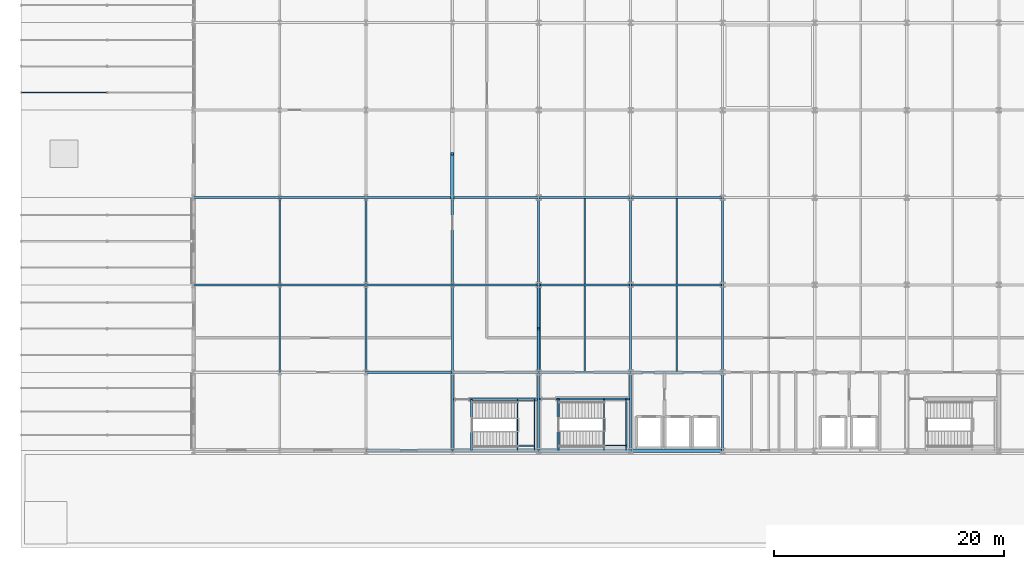
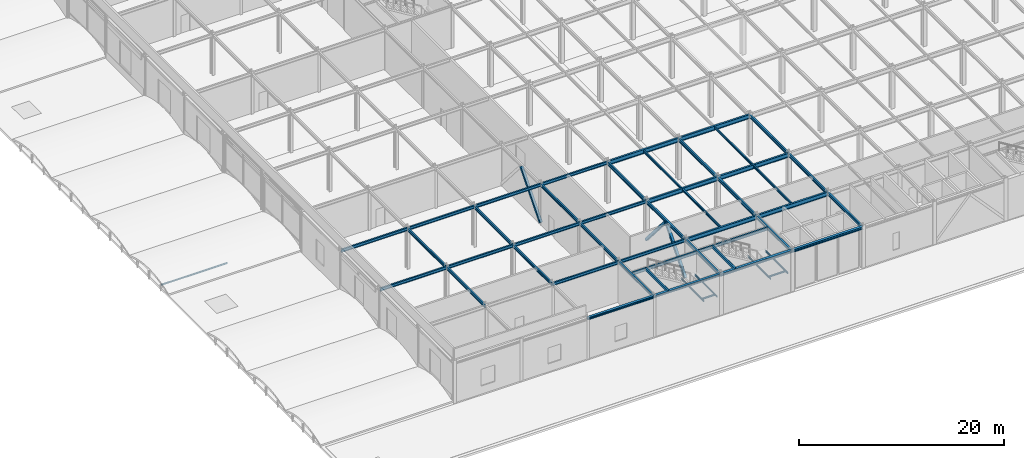
# One storey, part 18 of 113: 50 beams, 4 members.
"""IFC4 building model written with IfcOpenShell, lengths in metres."""

from ifc_helpers import new_model, si_unit, direction, frame, origin, origin_2d, place, context, subcontext, project, spatial, hollow_rectangle, i_section, extrude, material, material_profile, profile_set, type_object, element, save


model = new_model("IFC4")

# Units and contexts
model_context = context("Model", 3, precision=1e-05, world=origin(), true_north=direction((0.0, 1.0)))
body_context = subcontext(model_context, "Body", "Model", "MODEL_VIEW")
ifc_project = project(units=[si_unit("LENGTHUNIT", "METRE"), si_unit("AREAUNIT", "SQUARE_METRE"), si_unit("VOLUMEUNIT", "CUBIC_METRE"), si_unit("PLANEANGLEUNIT", "RADIAN"), si_unit("MASSUNIT", "GRAM", prefix="KILO")], contexts=[model_context])

# Site, building, storey
site_placement = place(None, origin())
site = spatial("IfcSite", under=ifc_project, at=site_placement, CompositionType="ELEMENT")
building_placement = place(site_placement, origin())
building = spatial("IfcBuilding", under=site, at=building_placement, Name="Shalkamar Park Central Library", CompositionType="ELEMENT")
storey_placement = place(building_placement, frame((0.0, 0.0, 5.39990234375)))
storey = spatial("IfcBuildingStorey", under=building, at=storey_placement, Name="L02", CompositionType="ELEMENT", Elevation=5.39990234375)

# Beams
ifc_material = material(Name="Steel S355", Category="steel")
ifc_material_profile_1 = material_profile(ifc_material, i_section(OverallWidth=0.10009765625, OverallDepth=0.199951171875, WebThickness=0.005615234375, FlangeThickness=0.008544921875, FilletRadius=0.011962890625, at=origin_2d()), Name="IPE 200")
ifc_profile_set_1 = profile_set([ifc_material_profile_1], Name="Steel S355")
beam_type_1 = type_object("IfcBeamType", Name="Composite Floor Joist IPE200", PredefinedType="JOIST", material=ifc_profile_set_1)
for number, where, z_axis, x_axis, name in (
    (1, (170.679931640625, 248.39990234375, 2.170166015625), (0.0, 1.0, 0.0), (-1.0, 0.0, 0.0), "Stair Half-Landing Beam ST-T1-L02-1"),
    (2, (172.6201171875, 248.39990234375, 2.170166015625), (0.0, 1.0, 0.0), (-1.0, 0.0, 0.0), "Stair Half-Landing Beam ST-T1-L02-2"),
):
    element("IfcBeam", number, at=place(storey_placement, frame(where, z_axis=z_axis, x_axis=x_axis)), inside=storey, type_object=beam_type_1, Name=name, PredefinedType="JOIST", context=body_context, shape_type="SweptSolid", body=[
        extrude(i_section(OverallWidth=0.10009765625, OverallDepth=0.199951171875, WebThickness=0.005615234375, FlangeThickness=0.008544921875, FilletRadius=0.011962890625, at=origin_2d()), origin(), (0.0, 0.0, 1.0), 4.5),
    ])
beam_1_placement = place(storey_placement, frame((170.679931640625, 248.85009765625, 2.170166015625), z_axis=(1.0, 0.0, 0.0), x_axis=(0.0, 1.0, 0.0)))
element("IfcBeam", 3, at=beam_1_placement, inside=storey, type_object=beam_type_1, Name="Stair Half-Landing Cross Tie ST-T1-L02-3", PredefinedType="JOIST", context=body_context, shape_type="SweptSolid", body=[
    extrude(i_section(OverallWidth=0.10009765625, OverallDepth=0.199951171875, WebThickness=0.005615234375, FlangeThickness=0.008544921875, FilletRadius=0.011962890625, at=origin_2d()), origin(), (0.0, 0.0, 1.0), 1.940185546875),
])
for number, where, z_axis, x_axis, name in (
    (4, (163.155029296875, 248.39990234375, 2.170166015625), (0.0, 1.0, 0.0), (-1.0, 0.0, 0.0), "Stair Half-Landing Beam ST-P1-L02-1"),
    (5, (164.64501953125, 248.39990234375, 2.170166015625), (0.0, 1.0, 0.0), (-1.0, 0.0, 0.0), "Stair Half-Landing Beam ST-P1-L02-2"),
):
    element("IfcBeam", number, at=place(storey_placement, frame(where, z_axis=z_axis, x_axis=x_axis)), inside=storey, type_object=beam_type_1, Name=name, PredefinedType="JOIST", context=body_context, shape_type="SweptSolid", body=[
        extrude(i_section(OverallWidth=0.10009765625, OverallDepth=0.199951171875, WebThickness=0.005615234375, FlangeThickness=0.008544921875, FilletRadius=0.011962890625, at=origin_2d()), origin(), (0.0, 0.0, 1.0), 4.4501953125),
    ])
beam_2_placement = place(storey_placement, frame((163.155029296875, 248.824951171875, 2.170166015625), z_axis=(1.0, 0.0, 0.0), x_axis=(0.0, 1.0, 0.0)))
element("IfcBeam", 6, at=beam_2_placement, inside=storey, type_object=beam_type_1, Name="Stair Half-Landing Cross Tie ST-P1-L02-3", PredefinedType="JOIST", context=body_context, shape_type="SweptSolid", body=[
    extrude(i_section(OverallWidth=0.10009765625, OverallDepth=0.199951171875, WebThickness=0.005615234375, FlangeThickness=0.008544921875, FilletRadius=0.011962890625, at=origin_2d()), origin(), (0.0, 0.0, 1.0), 1.489990234375),
])
ifc_material_profile_2 = material_profile(ifc_material, i_section(OverallWidth=0.135009765625, OverallDepth=0.27001953125, WebThickness=0.006591796875, FlangeThickness=0.01025390625, FilletRadius=0.014892578125, at=origin_2d()), Name="IPE 270")
ifc_profile_set_2 = profile_set([ifc_material_profile_2], Name="Steel S355")
beam_type_2 = type_object("IfcBeamType", Name="Composite Floor Joist IPE270", PredefinedType="JOIST", material=ifc_profile_set_2)
beam_3_placement = place(storey_placement, frame((169.0, 255.298095703125, 4.72509765625), z_axis=(0.0, 1.0, 0.0), x_axis=(-1.0, 0.0, 0.0)))
element("IfcBeam", 7, at=beam_3_placement, inside=storey, type_object=beam_type_2, Name="Composite Joist 07/C-1 (L02)", PredefinedType="JOIST", context=body_context, shape_type="SweptSolid", body=[
    extrude(i_section(OverallWidth=0.135009765625, OverallDepth=0.27001953125, WebThickness=0.006591796875, FlangeThickness=0.01025390625, FilletRadius=0.014892578125, at=origin_2d()), origin(), (0.0, 0.0, 1.0), 7.40380859375),
])
beam_4_placement = place(storey_placement, frame((169.0, 262.89794921875, 4.72509765625), z_axis=(0.0, 1.0, 0.0), x_axis=(-1.0, 0.0, 0.0)))
element("IfcBeam", 8, at=beam_4_placement, inside=storey, type_object=beam_type_2, Name="Composite Joist 07/D-1 (L02)", PredefinedType="JOIST", context=body_context, shape_type="SweptSolid", body=[
    extrude(i_section(OverallWidth=0.135009765625, OverallDepth=0.27001953125, WebThickness=0.006591796875, FlangeThickness=0.01025390625, FilletRadius=0.014892578125, at=origin_2d()), origin(), (0.0, 0.0, 1.0), 7.404052734375),
])
beam_5_placement = place(storey_placement, frame((177.0, 255.298095703125, 4.72509765625), z_axis=(0.0, 1.0, 0.0), x_axis=(-1.0, 0.0, 0.0)))
element("IfcBeam", 9, at=beam_5_placement, inside=storey, type_object=beam_type_2, Name="Composite Joist 08/C-1 (L02)", PredefinedType="JOIST", context=body_context, shape_type="SweptSolid", body=[
    extrude(i_section(OverallWidth=0.135009765625, OverallDepth=0.27001953125, WebThickness=0.006591796875, FlangeThickness=0.01025390625, FilletRadius=0.014892578125, at=origin_2d()), origin(), (0.0, 0.0, 1.0), 7.40380859375),
])
beam_6_placement = place(storey_placement, frame((177.0, 262.89794921875, 4.72509765625), z_axis=(0.0, 1.0, 0.0), x_axis=(-1.0, 0.0, 0.0)))
element("IfcBeam", 10, at=beam_6_placement, inside=storey, type_object=beam_type_2, Name="Composite Joist 08/D-1 (L02)", PredefinedType="JOIST", context=body_context, shape_type="SweptSolid", body=[
    extrude(i_section(OverallWidth=0.135009765625, OverallDepth=0.27001953125, WebThickness=0.006591796875, FlangeThickness=0.01025390625, FilletRadius=0.014892578125, at=origin_2d()), origin(), (0.0, 0.0, 1.0), 7.404052734375),
])

# Members
ifc_material_profile_3 = material_profile(ifc_material, hollow_rectangle(XDim=0.300048828125, YDim=0.300048828125, WallThickness=0.01611328125, InnerFilletRadius=0.01611328125, OuterFilletRadius=0.02392578125, at=origin_2d()), Name="SHS 300x300x16")
ifc_profile_set_3 = profile_set([ifc_material_profile_3], Name="Steel S355")
member_type_1 = type_object("IfcMemberType", Name="Diagonal Brace SHS300", PredefinedType="BRACE", material=ifc_profile_set_3)
for number, where, z_axis, x_axis, name in (
    (11, (165.0, 255.199951171875, 0.150146484375), (0.0, 0.652781978733, 0.757545832436), (-1.0, 0.0, 0.0), "Chevron Brace TW-W Leg A (L02)"),
    (12, (165.0, 262.800048828125, 0.150146484375), (0.0, -0.652781978733, 0.757545832436), (1.0, 0.0, 0.0), "Chevron Brace TW-W Leg B (L02)"),
    (13, (157.5, 270.39990234375, 0.150146484375), (0.0, 0.652781978733, 0.757545832436), (-1.0, 0.0, 0.0), "Chevron Brace PD-W Leg A (L02)"),
):
    element("IfcMember", number, at=place(storey_placement, frame(where, z_axis=z_axis, x_axis=x_axis)), inside=storey, type_object=member_type_1, Name=name, PredefinedType="BRACE", context=body_context, shape_type="SweptSolid", body=[
        extrude(hollow_rectangle(XDim=0.300048828125, YDim=0.300048828125, WallThickness=0.01611328125, InnerFilletRadius=0.01611328125, OuterFilletRadius=0.02392578125, at=origin_2d()), origin(), (0.0, 0.0, 1.0), 5.8212890625),
    ])

# Beams
ifc_material_profile_4 = material_profile(ifc_material, i_section(OverallWidth=0.280029296875, OverallDepth=0.27001953125, WebThickness=0.008056640625, FlangeThickness=0.012939453125, FilletRadius=0.02392578125, at=origin_2d()), Name="HEA 280")
ifc_profile_set_4 = profile_set([ifc_material_profile_4], Name="Steel S355")
beam_type_3 = type_object("IfcBeamType", Name="Perimeter Spandrel Beam HEA280", PredefinedType="SPANDREL", material=ifc_profile_set_4)
for number, where, z_axis, x_axis, name in (
    (14, (150.0, 248.39990234375, 4.715087890625), (1.0, 0.0, 0.0), (0.0, 1.0, 0.0), "Beam B:05-06 (L02)"),
    (15, (157.5, 248.39990234375, 4.72509765625), (1.0, 0.0, 0.0), (0.0, 1.0, 0.0), "Beam B:06-07 (L02)"),
):
    element("IfcBeam", number, at=place(storey_placement, frame(where, z_axis=z_axis, x_axis=x_axis)), inside=storey, type_object=beam_type_3, Name=name, PredefinedType="SPANDREL", context=body_context, shape_type="SweptSolid", body=[
        extrude(i_section(OverallWidth=0.280029296875, OverallDepth=0.27001953125, WebThickness=0.008056640625, FlangeThickness=0.012939453125, FilletRadius=0.02392578125, at=origin_2d()), origin(), (0.0, 0.0, 1.0), 7.5),
    ])
ifc_material_profile_5 = material_profile(ifc_material, i_section(OverallWidth=0.300048828125, OverallDepth=0.31005859375, WebThickness=0.009033203125, FlangeThickness=0.015380859375, FilletRadius=0.027099609375, at=origin_2d()), Name="HEA 320")
ifc_profile_set_5 = profile_set([ifc_material_profile_5], Name="Steel S355")
beam_type_4 = type_object("IfcBeamType", Name="Perimeter Spandrel Beam HEA320", PredefinedType="SPANDREL", material=ifc_profile_set_5)
for number, where, z_axis, x_axis, name in (
    (16, (165.0, 248.39990234375, 4.705078125), (1.0, 0.0, 0.0), (0.0, 1.0, 0.0), "Beam B:07-08 (L02)"),
    (17, (173.0, 248.39990234375, 4.705078125), (1.0, 0.0, 0.0), (0.0, 1.0, 0.0), "Beam B:08-09 (L02)"),
):
    element("IfcBeam", number, at=place(storey_placement, frame(where, z_axis=z_axis, x_axis=x_axis)), inside=storey, type_object=beam_type_4, Name=name, PredefinedType="SPANDREL", context=body_context, shape_type="SweptSolid", body=[
        extrude(i_section(OverallWidth=0.300048828125, OverallDepth=0.31005859375, WebThickness=0.009033203125, FlangeThickness=0.015380859375, FilletRadius=0.027099609375, at=origin_2d()), origin(), (0.0, 0.0, 1.0), 8.0),
    ])
ifc_material_profile_6 = material_profile(ifc_material, i_section(OverallWidth=0.169921875, OverallDepth=0.360107421875, WebThickness=0.008056640625, FlangeThickness=0.0126953125, FilletRadius=0.01806640625, at=origin_2d()), Name="IPE 360")
ifc_profile_set_6 = profile_set([ifc_material_profile_6], Name="Steel S355")
beam_type_5 = type_object("IfcBeamType", Name="Primary Girder IPE360", PredefinedType="BEAM", material=ifc_profile_set_6)
for number, where, z_axis, x_axis, name in (
    (18, (150.0, 255.199951171875, 4.670166015625), (1.0, 0.0, 0.0), (0.0, 1.0, 0.0), "Beam C:05-06 (L02)"),
    (19, (157.5, 255.199951171875, 4.68017578125), (1.0, 0.0, 0.0), (0.0, 1.0, 0.0), "Beam C:06-07 (L02)"),
    (20, (135.0, 262.800048828125, 4.670166015625), (1.0, 0.0, 0.0), (0.0, 1.0, 0.0), "Beam D:03-04 (L02)"),
    (21, (142.5, 262.800048828125, 4.670166015625), (1.0, 0.0, 0.0), (0.0, 1.0, 0.0), "Beam D:04-05 (L02)"),
    (22, (150.0, 262.800048828125, 4.670166015625), (1.0, 0.0, 0.0), (0.0, 1.0, 0.0), "Beam D:05-06 (L02)"),
    (23, (157.5, 262.800048828125, 4.68017578125), (1.0, 0.0, 0.0), (0.0, 1.0, 0.0), "Beam D:06-07 (L02)"),
    (24, (135.0, 270.39990234375, 4.670166015625), (1.0, 0.0, 0.0), (0.0, 1.0, 0.0), "Beam E:03-04 (L02)"),
    (25, (142.5, 270.39990234375, 4.670166015625), (1.0, 0.0, 0.0), (0.0, 1.0, 0.0), "Beam E:04-05 (L02)"),
    (26, (150.0, 270.39990234375, 4.670166015625), (1.0, 0.0, 0.0), (0.0, 1.0, 0.0), "Beam E:05-06 (L02)"),
    (27, (157.5, 270.39990234375, 4.68017578125), (1.0, 0.0, 0.0), (0.0, 1.0, 0.0), "Beam E:06-07 (L02)"),
):
    element("IfcBeam", number, at=place(storey_placement, frame(where, z_axis=z_axis, x_axis=x_axis)), inside=storey, type_object=beam_type_5, Name=name, PredefinedType="BEAM", context=body_context, shape_type="SweptSolid", body=[
        extrude(i_section(OverallWidth=0.169921875, OverallDepth=0.360107421875, WebThickness=0.008056640625, FlangeThickness=0.0126953125, FilletRadius=0.01806640625, at=origin_2d()), origin(), (0.0, 0.0, 1.0), 7.5),
    ])
beam_7_placement = place(storey_placement, frame((142.5, 255.199951171875, 4.670166015625), z_axis=(0.0, 1.0, 0.0), x_axis=(-1.0, 0.0, 0.0)))
element("IfcBeam", 28, at=beam_7_placement, inside=storey, type_object=beam_type_5, Name="Beam 04:C-D (L02)", PredefinedType="BEAM", context=body_context, shape_type="SweptSolid", body=[
    extrude(i_section(OverallWidth=0.169921875, OverallDepth=0.360107421875, WebThickness=0.008056640625, FlangeThickness=0.0126953125, FilletRadius=0.01806640625, at=origin_2d()), origin(), (0.0, 0.0, 1.0), 7.60009765625),
])
beam_8_placement = place(storey_placement, frame((142.5, 262.800048828125, 4.670166015625), z_axis=(0.0, 1.0, 0.0), x_axis=(-1.0, 0.0, 0.0)))
element("IfcBeam", 29, at=beam_8_placement, inside=storey, type_object=beam_type_5, Name="Beam 04:D-E (L02)", PredefinedType="BEAM", context=body_context, shape_type="SweptSolid", body=[
    extrude(i_section(OverallWidth=0.169921875, OverallDepth=0.360107421875, WebThickness=0.008056640625, FlangeThickness=0.0126953125, FilletRadius=0.01806640625, at=origin_2d()), origin(), (0.0, 0.0, 1.0), 7.599853515625),
])
beam_9_placement = place(storey_placement, frame((150.0, 255.199951171875, 4.670166015625), z_axis=(0.0, 1.0, 0.0), x_axis=(-1.0, 0.0, 0.0)))
element("IfcBeam", 30, at=beam_9_placement, inside=storey, type_object=beam_type_5, Name="Beam 05:C-D (L02)", PredefinedType="BEAM", context=body_context, shape_type="SweptSolid", body=[
    extrude(i_section(OverallWidth=0.169921875, OverallDepth=0.360107421875, WebThickness=0.008056640625, FlangeThickness=0.0126953125, FilletRadius=0.01806640625, at=origin_2d()), origin(), (0.0, 0.0, 1.0), 7.60009765625),
])
beam_10_placement = place(storey_placement, frame((150.0, 262.800048828125, 4.670166015625), z_axis=(0.0, 1.0, 0.0), x_axis=(-1.0, 0.0, 0.0)))
element("IfcBeam", 31, at=beam_10_placement, inside=storey, type_object=beam_type_5, Name="Beam 05:D-E (L02)", PredefinedType="BEAM", context=body_context, shape_type="SweptSolid", body=[
    extrude(i_section(OverallWidth=0.169921875, OverallDepth=0.360107421875, WebThickness=0.008056640625, FlangeThickness=0.0126953125, FilletRadius=0.01806640625, at=origin_2d()), origin(), (0.0, 0.0, 1.0), 7.599853515625),
])
beam_11_placement = place(storey_placement, frame((157.5, 248.39990234375, 4.68017578125), z_axis=(0.0, 1.0, 0.0), x_axis=(-1.0, 0.0, 0.0)))
element("IfcBeam", 32, at=beam_11_placement, inside=storey, type_object=beam_type_5, Name="Beam 06:B-C (L02)", PredefinedType="BEAM", context=body_context, shape_type="SweptSolid", body=[
    extrude(i_section(OverallWidth=0.169921875, OverallDepth=0.360107421875, WebThickness=0.008056640625, FlangeThickness=0.0126953125, FilletRadius=0.01806640625, at=origin_2d()), origin(), (0.0, 0.0, 1.0), 6.800048828125),
])
beam_12_placement = place(storey_placement, frame((157.5, 255.199951171875, 4.68017578125), z_axis=(0.0, 1.0, 0.0), x_axis=(-1.0, 0.0, 0.0)))
element("IfcBeam", 33, at=beam_12_placement, inside=storey, type_object=beam_type_5, Name="Beam 06:C-D (L02)", PredefinedType="BEAM", context=body_context, shape_type="SweptSolid", body=[
    extrude(i_section(OverallWidth=0.169921875, OverallDepth=0.360107421875, WebThickness=0.008056640625, FlangeThickness=0.0126953125, FilletRadius=0.01806640625, at=origin_2d()), origin(), (0.0, 0.0, 1.0), 7.60009765625),
])
beam_13_placement = place(storey_placement, frame((157.5, 262.800048828125, 4.68017578125), z_axis=(0.0, 1.0, 0.0), x_axis=(-1.0, 0.0, 0.0)))
element("IfcBeam", 34, at=beam_13_placement, inside=storey, type_object=beam_type_5, Name="Beam 06:D-E (L02)", PredefinedType="BEAM", context=body_context, shape_type="SweptSolid", body=[
    extrude(i_section(OverallWidth=0.169921875, OverallDepth=0.360107421875, WebThickness=0.008056640625, FlangeThickness=0.0126953125, FilletRadius=0.01806640625, at=origin_2d()), origin(), (0.0, 0.0, 1.0), 7.599853515625),
])
beam_14_placement = place(storey_placement, frame((165.087890625, 252.89990234375, 4.68017578125), z_axis=(1.0, 0.0, 0.0), x_axis=(0.0, 1.0, 0.0)))
element("IfcBeam", 35, at=beam_14_placement, inside=storey, type_object=beam_type_5, Name="CORE-T1 Stairwell Divider Beam (L02)", PredefinedType="BEAM", context=body_context, shape_type="SweptSolid", body=[
    extrude(i_section(OverallWidth=0.169921875, OverallDepth=0.360107421875, WebThickness=0.008056640625, FlangeThickness=0.0126953125, FilletRadius=0.01806640625, at=origin_2d()), origin(), (0.0, 0.0, 1.0), 7.82421875),
])
beam_15_placement = place(storey_placement, frame((157.587890625, 252.85009765625, 4.68017578125), z_axis=(1.0, 0.0, 0.0), x_axis=(0.0, 1.0, 0.0)))
element("IfcBeam", 36, at=beam_15_placement, inside=storey, type_object=beam_type_5, Name="CORE-P1 Stairwell Divider Beam (L02)", PredefinedType="BEAM", context=body_context, shape_type="SweptSolid", body=[
    extrude(i_section(OverallWidth=0.169921875, OverallDepth=0.360107421875, WebThickness=0.008056640625, FlangeThickness=0.0126953125, FilletRadius=0.01806640625, at=origin_2d()), origin(), (0.0, 0.0, 1.0), 7.32421875),
])
ifc_material_profile_7 = material_profile(ifc_material, i_section(OverallWidth=0.179931640625, OverallDepth=0.39990234375, WebThickness=0.008544921875, FlangeThickness=0.013427734375, FilletRadius=0.02099609375, at=origin_2d()), Name="IPE 400")
ifc_profile_set_7 = profile_set([ifc_material_profile_7], Name="Steel S355")
beam_type_6 = type_object("IfcBeamType", Name="Primary Girder IPE400", PredefinedType="BEAM", material=ifc_profile_set_7)
beam_16_placement = place(storey_placement, frame((165.0, 248.39990234375, 4.66015625), z_axis=(0.0, 1.0, 0.0), x_axis=(-1.0, 0.0, 0.0)))
element("IfcBeam", 37, at=beam_16_placement, inside=storey, type_object=beam_type_6, Name="Beam 07:B-C (L02)", PredefinedType="BEAM", context=body_context, shape_type="SweptSolid", body=[
    extrude(i_section(OverallWidth=0.179931640625, OverallDepth=0.39990234375, WebThickness=0.008544921875, FlangeThickness=0.013427734375, FilletRadius=0.02099609375, at=origin_2d()), origin(), (0.0, 0.0, 1.0), 6.800048828125),
])
beam_17_placement = place(storey_placement, frame((165.0, 255.199951171875, 4.66015625), z_axis=(0.0, 1.0, 0.0), x_axis=(-1.0, 0.0, 0.0)))
element("IfcBeam", 38, at=beam_17_placement, inside=storey, type_object=beam_type_6, Name="Beam 07:C-D (L02)", PredefinedType="BEAM", context=body_context, shape_type="SweptSolid", body=[
    extrude(i_section(OverallWidth=0.179931640625, OverallDepth=0.39990234375, WebThickness=0.008544921875, FlangeThickness=0.013427734375, FilletRadius=0.02099609375, at=origin_2d()), origin(), (0.0, 0.0, 1.0), 7.60009765625),
])
beam_18_placement = place(storey_placement, frame((165.0, 262.800048828125, 4.66015625), z_axis=(0.0, 1.0, 0.0), x_axis=(-1.0, 0.0, 0.0)))
element("IfcBeam", 39, at=beam_18_placement, inside=storey, type_object=beam_type_6, Name="Beam 07:D-E (L02)", PredefinedType="BEAM", context=body_context, shape_type="SweptSolid", body=[
    extrude(i_section(OverallWidth=0.179931640625, OverallDepth=0.39990234375, WebThickness=0.008544921875, FlangeThickness=0.013427734375, FilletRadius=0.02099609375, at=origin_2d()), origin(), (0.0, 0.0, 1.0), 7.599853515625),
])
beam_19_placement = place(storey_placement, frame((173.0, 248.39990234375, 4.66015625), z_axis=(0.0, 1.0, 0.0), x_axis=(-1.0, 0.0, 0.0)))
element("IfcBeam", 40, at=beam_19_placement, inside=storey, type_object=beam_type_6, Name="Beam 08:B-C (L02)", PredefinedType="BEAM", context=body_context, shape_type="SweptSolid", body=[
    extrude(i_section(OverallWidth=0.179931640625, OverallDepth=0.39990234375, WebThickness=0.008544921875, FlangeThickness=0.013427734375, FilletRadius=0.02099609375, at=origin_2d()), origin(), (0.0, 0.0, 1.0), 6.800048828125),
])
beam_20_placement = place(storey_placement, frame((173.0, 255.199951171875, 4.66015625), z_axis=(0.0, 1.0, 0.0), x_axis=(-1.0, 0.0, 0.0)))
element("IfcBeam", 41, at=beam_20_placement, inside=storey, type_object=beam_type_6, Name="Beam 08:C-D (L02)", PredefinedType="BEAM", context=body_context, shape_type="SweptSolid", body=[
    extrude(i_section(OverallWidth=0.179931640625, OverallDepth=0.39990234375, WebThickness=0.008544921875, FlangeThickness=0.013427734375, FilletRadius=0.02099609375, at=origin_2d()), origin(), (0.0, 0.0, 1.0), 7.60009765625),
])
beam_21_placement = place(storey_placement, frame((173.0, 262.800048828125, 4.66015625), z_axis=(0.0, 1.0, 0.0), x_axis=(-1.0, 0.0, 0.0)))
element("IfcBeam", 42, at=beam_21_placement, inside=storey, type_object=beam_type_6, Name="Beam 08:D-E (L02)", PredefinedType="BEAM", context=body_context, shape_type="SweptSolid", body=[
    extrude(i_section(OverallWidth=0.179931640625, OverallDepth=0.39990234375, WebThickness=0.008544921875, FlangeThickness=0.013427734375, FilletRadius=0.02099609375, at=origin_2d()), origin(), (0.0, 0.0, 1.0), 7.599853515625),
])
beam_22_placement = place(storey_placement, frame((181.0, 248.39990234375, 4.66015625), z_axis=(0.0, 1.0, 0.0), x_axis=(-1.0, 0.0, 0.0)))
element("IfcBeam", 43, at=beam_22_placement, inside=storey, type_object=beam_type_6, Name="Beam 09:B-C (L02)", PredefinedType="BEAM", context=body_context, shape_type="SweptSolid", body=[
    extrude(i_section(OverallWidth=0.179931640625, OverallDepth=0.39990234375, WebThickness=0.008544921875, FlangeThickness=0.013427734375, FilletRadius=0.02099609375, at=origin_2d()), origin(), (0.0, 0.0, 1.0), 6.800048828125),
])
beam_23_placement = place(storey_placement, frame((181.0, 255.199951171875, 4.66015625), z_axis=(0.0, 1.0, 0.0), x_axis=(-1.0, 0.0, 0.0)))
element("IfcBeam", 44, at=beam_23_placement, inside=storey, type_object=beam_type_6, Name="Beam 09:C-D (L02)", PredefinedType="BEAM", context=body_context, shape_type="SweptSolid", body=[
    extrude(i_section(OverallWidth=0.179931640625, OverallDepth=0.39990234375, WebThickness=0.008544921875, FlangeThickness=0.013427734375, FilletRadius=0.02099609375, at=origin_2d()), origin(), (0.0, 0.0, 1.0), 7.60009765625),
])
beam_24_placement = place(storey_placement, frame((181.0, 262.800048828125, 4.66015625), z_axis=(0.0, 1.0, 0.0), x_axis=(-1.0, 0.0, 0.0)))
element("IfcBeam", 45, at=beam_24_placement, inside=storey, type_object=beam_type_6, Name="Beam 09:D-E (L02)", PredefinedType="BEAM", context=body_context, shape_type="SweptSolid", body=[
    extrude(i_section(OverallWidth=0.179931640625, OverallDepth=0.39990234375, WebThickness=0.008544921875, FlangeThickness=0.013427734375, FilletRadius=0.02099609375, at=origin_2d()), origin(), (0.0, 0.0, 1.0), 7.599853515625),
])
ifc_material_profile_8 = material_profile(ifc_material, i_section(OverallWidth=0.199951171875, OverallDepth=0.5, WebThickness=0.01025390625, FlangeThickness=0.01611328125, FilletRadius=0.02099609375, at=origin_2d()), Name="IPE 500")
ifc_profile_set_8 = profile_set([ifc_material_profile_8], Name="Steel S355")
beam_type_7 = type_object("IfcBeamType", Name="Primary Girder IPE500", PredefinedType="BEAM", material=ifc_profile_set_8)
for number, where, z_axis, x_axis, name in (
    (46, (165.0, 255.199951171875, 4.610107421875), (1.0, 0.0, 0.0), (0.0, 1.0, 0.0), "Beam C:07-08 (L02)"),
    (47, (173.0, 255.199951171875, 4.610107421875), (1.0, 0.0, 0.0), (0.0, 1.0, 0.0), "Beam C:08-09 (L02)"),
    (48, (165.0, 262.800048828125, 4.610107421875), (1.0, 0.0, 0.0), (0.0, 1.0, 0.0), "Beam D:07-08 (L02)"),
    (49, (173.0, 262.800048828125, 4.610107421875), (1.0, 0.0, 0.0), (0.0, 1.0, 0.0), "Beam D:08-09 (L02)"),
    (50, (165.0, 270.39990234375, 4.610107421875), (1.0, 0.0, 0.0), (0.0, 1.0, 0.0), "Beam E:07-08 (L02)"),
    (51, (173.0, 270.39990234375, 4.610107421875), (1.0, 0.0, 0.0), (0.0, 1.0, 0.0), "Beam E:08-09 (L02)"),
):
    element("IfcBeam", number, at=place(storey_placement, frame(where, z_axis=z_axis, x_axis=x_axis)), inside=storey, type_object=beam_type_7, Name=name, PredefinedType="BEAM", context=body_context, shape_type="SweptSolid", body=[
        extrude(i_section(OverallWidth=0.199951171875, OverallDepth=0.5, WebThickness=0.01025390625, FlangeThickness=0.01611328125, FilletRadius=0.02099609375, at=origin_2d()), origin(), (0.0, 0.0, 1.0), 8.0),
    ])

# Member
ifc_material_profile_9 = material_profile(ifc_material, i_section(OverallWidth=0.091064453125, OverallDepth=0.179931640625, WebThickness=0.00537109375, FlangeThickness=0.008056640625, FilletRadius=0.009033203125, at=origin_2d()), Name="IPE 180")
ifc_profile_set_9 = profile_set([ifc_material_profile_9], Name="Steel S355")
member_type_2 = type_object("IfcMemberType", Name="Roof Purlin IPE180", PredefinedType="PURLIN", material=ifc_profile_set_9)
member_placement = place(storey_placement, frame((120.0, 279.52001953125, 0.330810546875), z_axis=(1.0, 0.0, 0.0), x_axis=(0.0, 1.0, 0.0)))
element("IfcMember", 52, at=member_placement, inside=storey, type_object=member_type_2, Name="Barrel Roof Purlin BV-L01-W4-1.01", PredefinedType="PURLIN", context=body_context, shape_type="SweptSolid", body=[
    extrude(i_section(OverallWidth=0.091064453125, OverallDepth=0.179931640625, WebThickness=0.00537109375, FlangeThickness=0.008056640625, FilletRadius=0.009033203125, at=origin_2d()), origin(), (0.0, 0.0, 1.0), 7.5),
])

# Beams
ifc_material_profile_10 = material_profile(ifc_material, hollow_rectangle(XDim=0.199951171875, YDim=0.300048828125, WallThickness=0.011962890625, InnerFilletRadius=0.011962890625, OuterFilletRadius=0.01806640625, at=origin_2d()), Name="RHS 300x200x12")
ifc_profile_set_10 = profile_set([ifc_material_profile_10], Name="Steel S355")
beam_type_8 = type_object("IfcBeamType", Name="Stair Trimmer Box RHS300x200", PredefinedType="BEAM", material=ifc_profile_set_10)
beam_25_placement = place(storey_placement, frame((166.699951171875, 248.39990234375, 4.710205078125), z_axis=(0.0, 1.0, 0.0), x_axis=(-1.0, 0.0, 0.0)))
element("IfcBeam", 53, at=beam_25_placement, inside=storey, type_object=beam_type_8, Name="Stair Arrival Trimmer Girder ST-T1-L02", PredefinedType="BEAM", context=body_context, shape_type="SweptSolid", body=[
    extrude(hollow_rectangle(XDim=0.199951171875, YDim=0.300048828125, WallThickness=0.011962890625, InnerFilletRadius=0.011962890625, OuterFilletRadius=0.01806640625, at=origin_2d()), origin(), (0.0, 0.0, 1.0), 4.5),
])
beam_26_placement = place(storey_placement, frame((159.175048828125, 248.39990234375, 4.710205078125), z_axis=(0.0, 1.0, 0.0), x_axis=(-1.0, 0.0, 0.0)))
element("IfcBeam", 54, at=beam_26_placement, inside=storey, type_object=beam_type_8, Name="Stair Arrival Trimmer Girder ST-P1-L02", PredefinedType="BEAM", context=body_context, shape_type="SweptSolid", body=[
    extrude(hollow_rectangle(XDim=0.199951171875, YDim=0.300048828125, WallThickness=0.011962890625, InnerFilletRadius=0.011962890625, OuterFilletRadius=0.01806640625, at=origin_2d()), origin(), (0.0, 0.0, 1.0), 4.4501953125),
])

save(model, "model.ifc")
